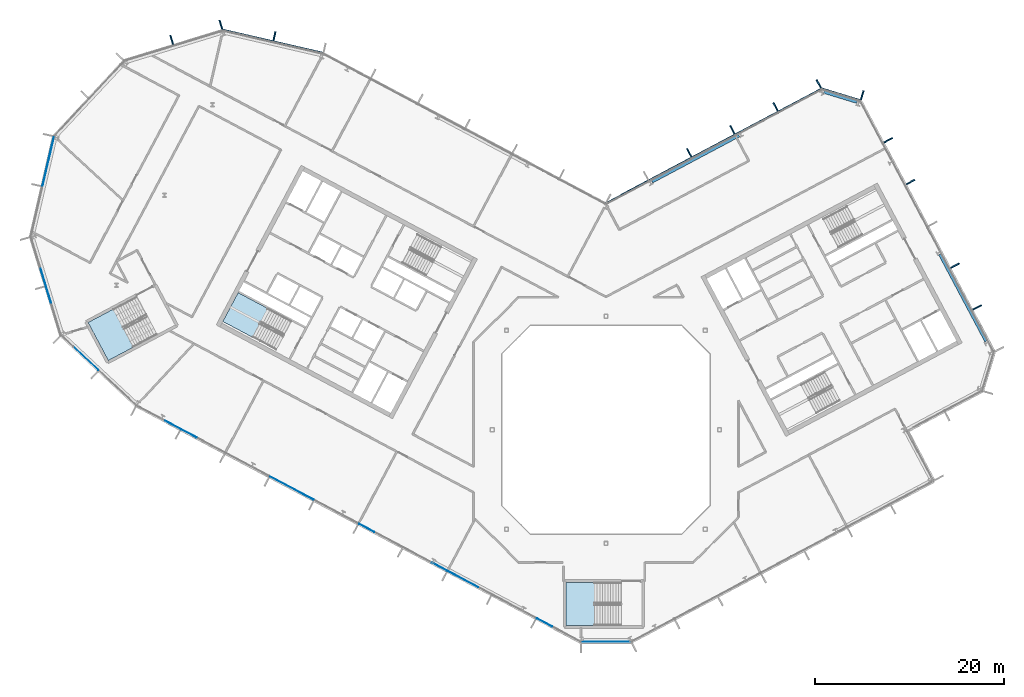
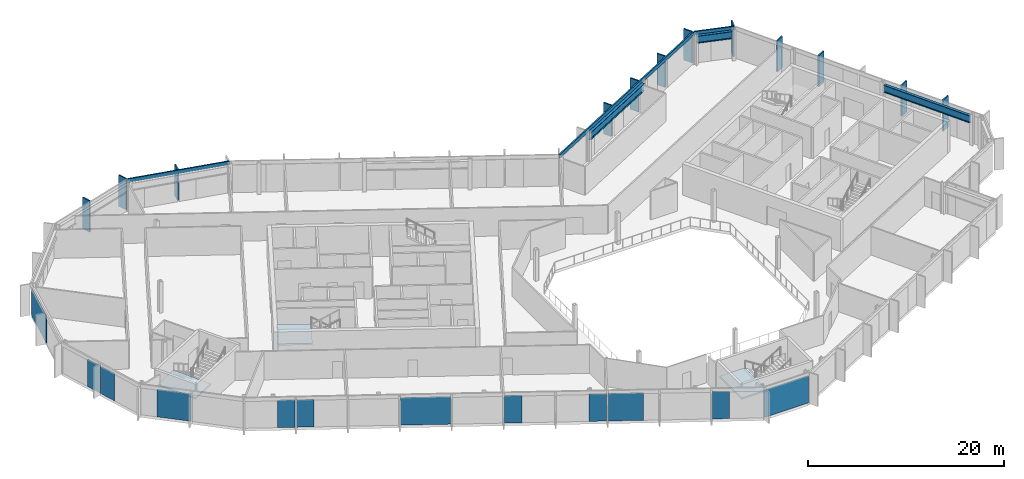
# One storey, part 10 of 26: 15 members, 12 plates, 3 beams, 3 slabs, 13 elements without a shape of their own.
"""IFC4 building model written with IfcOpenShell, lengths in metres."""

from ifc_helpers import new_model, si_unit, direction, frame, origin, origin_2d, place, context, subcontext, project, spatial, polyline, rectangle, i_section, outline, extrude, material, layer, layer_set, material_profile, profile_set, type_object, element, aggregate, save


model = new_model("IFC4")

# Units and contexts
model_context = context("Model", 3, precision=1e-05, world=origin(), true_north=direction((0.0, 1.0)))
body_context = subcontext(model_context, "Body", "Model", "MODEL_VIEW")
ifc_project = project(units=[si_unit("LENGTHUNIT", "METRE"), si_unit("AREAUNIT", "SQUARE_METRE"), si_unit("VOLUMEUNIT", "CUBIC_METRE"), si_unit("PLANEANGLEUNIT", "RADIAN"), si_unit("MASSUNIT", "GRAM", prefix="KILO")], contexts=[model_context])

# Site, building, storey
site_placement = place(None, origin())
site = spatial("IfcSite", under=ifc_project, at=site_placement, CompositionType="ELEMENT")
building_placement = place(site_placement, origin())
building = spatial("IfcBuilding", under=site, at=building_placement, Name="Cormorant Relay Tower", CompositionType="ELEMENT")
storey_placement = place(building_placement, frame((0.0, 0.0, 261.89990234375)))
storey = spatial("IfcBuildingStorey", under=building, at=storey_placement, Name="L58", CompositionType="ELEMENT", Elevation=261.89990234375)

# Curtain wall, members
ifc_material_1 = material(Name="Aluminium 6063-T6 anodised bronze", Category="aluminium")
ifc_layer_1 = layer(ifc_material_1, 0.199951171875)
ifc_layer_set_1 = layer_set([ifc_layer_1], Name="CW1 unitised bronze curtain wall with vertical fins")
curtain_wall_type = type_object("IfcCurtainWallType", Name="CW1 unitised bronze curtain wall with vertical fins", PredefinedType="NOTDEFINED", material=ifc_layer_set_1)
curtain_wall_1_placement = place(storey_placement, origin())
curtain_wall_1 = element("IfcCurtainWall", 1, at=curtain_wall_1_placement, inside=storey, type_object=curtain_wall_type, Name="CW1 curtain wall 6", PredefinedType="NOTDEFINED")
ifc_material_2 = material(Name="Aluminium 6063-T6 anodised bronze", Category="aluminium")
ifc_material_profile_1 = material_profile(ifc_material_2, rectangle(XDim=0.14990234375, YDim=1.0, at=origin_2d()), Name="AL 150x1000")
ifc_profile_set_1 = profile_set([ifc_material_profile_1], Name="Aluminium 6063-T6 anodised bronze")
member_type_1 = type_object("IfcMemberType", Name="CW1 bronze fin mullion 150 x 1000", PredefinedType="MULLION", material=ifc_profile_set_1)
member_1_placement = place(storey_placement, frame((39.222412109375, 12.927001953125, 0.0), z_axis=(0.0, 0.0, 1.0), x_axis=(-0.469471562786, 0.882947592859, 0.0)))
member_1 = element("IfcMember", 2, at=member_1_placement, type_object=member_type_1, Name="CW1 fin 6.2", PredefinedType="MULLION", context=body_context, shape_type="SweptSolid", body=[
    extrude(rectangle(XDim=0.14990234375, YDim=1.0, at=origin_2d()), origin(), (0.0, 0.0, 1.0), 3.900146484375),
])
member_2_placement = place(storey_placement, frame((36.875, 17.341552734375, 0.0), z_axis=(0.0, 0.0, 1.0), x_axis=(-0.469471562786, 0.882947592859, 0.0)))
member_2 = element("IfcMember", 3, at=member_2_placement, type_object=member_type_1, Name="CW1 fin 6.3", PredefinedType="MULLION", context=body_context, shape_type="SweptSolid", body=[
    extrude(rectangle(XDim=0.14990234375, YDim=1.0, at=origin_2d()), origin(), (0.0, 0.0, 1.0), 3.900146484375),
])
member_3_placement = place(storey_placement, frame((32.18017578125, 26.171142578125, 0.0), z_axis=(0.0, 0.0, 1.0), x_axis=(-0.469471562786, 0.882947592859, 0.0)))
member_3 = element("IfcMember", 4, at=member_3_placement, type_object=member_type_1, Name="CW1 fin 6.5", PredefinedType="MULLION", context=body_context, shape_type="SweptSolid", body=[
    extrude(rectangle(XDim=0.14990234375, YDim=1.0, at=origin_2d()), origin(), (0.0, 0.0, 1.0), 3.900146484375),
])
member_4_placement = place(storey_placement, frame((29.832763671875, 30.585693359375, 0.0), z_axis=(0.0, 0.0, 1.0), x_axis=(-0.469471562786, 0.882947592859, 0.0)))
member_4 = element("IfcMember", 5, at=member_4_placement, type_object=member_type_1, Name="CW1 fin 6.6", PredefinedType="MULLION", context=body_context, shape_type="SweptSolid", body=[
    extrude(rectangle(XDim=0.14990234375, YDim=1.0, at=origin_2d()), origin(), (0.0, 0.0, 1.0), 3.900146484375),
])
aggregate(curtain_wall_1, [member_1, member_2, member_3, member_4])

# Curtain wall, member
curtain_wall_2_placement = place(storey_placement, origin())
curtain_wall_2 = element("IfcCurtainWall", 6, at=curtain_wall_2_placement, inside=storey, type_object=curtain_wall_type, Name="CW1 curtain wall 7", PredefinedType="NOTDEFINED")
member_5_placement = place(storey_placement, frame((27.072021484375, 35.34130859375, 0.0), z_axis=(0.0, 0.0, 1.0), x_axis=(-0.956304755963, 0.292371704723, 0.0)))
member_5 = element("IfcMember", 7, at=member_5_placement, type_object=member_type_1, Name="CW1 fin 7.1", PredefinedType="MULLION", context=body_context, shape_type="SweptSolid", body=[
    extrude(rectangle(XDim=0.14990234375, YDim=1.0, at=origin_2d()), origin(), (0.0, 0.0, 1.0), 3.900146484375),
])

# Curtain wall, members
curtain_wall_3_placement = place(storey_placement, origin())
curtain_wall_3 = element("IfcCurtainWall", 8, at=curtain_wall_3_placement, inside=storey, type_object=curtain_wall_type, Name="CW1 curtain wall 8", PredefinedType="NOTDEFINED")
member_6_placement = place(storey_placement, frame((22.4814453125, 36.530517578125, 0.0), z_axis=(0.0, 0.0, 1.0), x_axis=(-0.882947592859, -0.469471562786, 0.0)))
member_6 = element("IfcMember", 9, at=member_6_placement, type_object=member_type_1, Name="CW1 fin 8.1", PredefinedType="MULLION", context=body_context, shape_type="SweptSolid", body=[
    extrude(rectangle(XDim=0.14990234375, YDim=1.0, at=origin_2d()), origin(), (0.0, 0.0, 1.0), 3.900146484375),
])
member_7_placement = place(storey_placement, frame((17.91943359375, 34.104736328125, 0.0), z_axis=(0.0, 0.0, 1.0), x_axis=(-0.882947592859, -0.469471562786, 0.0)))
member_7 = element("IfcMember", 10, at=member_7_placement, type_object=member_type_1, Name="CW1 fin 8.2", PredefinedType="MULLION", context=body_context, shape_type="SweptSolid", body=[
    extrude(rectangle(XDim=0.14990234375, YDim=1.0, at=origin_2d()), origin(), (0.0, 0.0, 1.0), 3.900146484375),
])
member_8_placement = place(storey_placement, frame((13.357421875, 31.67919921875, 0.0), z_axis=(0.0, 0.0, 1.0), x_axis=(-0.882947592859, -0.469471562786, 0.0)))
member_8 = element("IfcMember", 11, at=member_8_placement, type_object=member_type_1, Name="CW1 fin 8.3", PredefinedType="MULLION", context=body_context, shape_type="SweptSolid", body=[
    extrude(rectangle(XDim=0.14990234375, YDim=1.0, at=origin_2d()), origin(), (0.0, 0.0, 1.0), 3.900146484375),
])
member_9_placement = place(storey_placement, frame((8.79541015625, 29.25341796875, 0.0), z_axis=(0.0, 0.0, 1.0), x_axis=(-0.882947592859, -0.469471562786, 0.0)))
member_9 = element("IfcMember", 12, at=member_9_placement, type_object=member_type_1, Name="CW1 fin 8.4", PredefinedType="MULLION", context=body_context, shape_type="SweptSolid", body=[
    extrude(rectangle(XDim=0.14990234375, YDim=1.0, at=origin_2d()), origin(), (0.0, 0.0, 1.0), 3.900146484375),
])

# Curtain wall, member
curtain_wall_4_placement = place(storey_placement, origin())
curtain_wall_4 = element("IfcCurtainWall", 13, at=curtain_wall_4_placement, inside=storey, type_object=curtain_wall_type, Name="CW1 curtain wall 10", PredefinedType="NOTDEFINED")
member_10_placement = place(storey_placement, frame((-35.01220703125, 41.57275390625, 0.0), z_axis=(0.0, 0.0, 1.0), x_axis=(-0.974370064785, 0.224951054344, 0.0)))
member_10 = element("IfcMember", 14, at=member_10_placement, type_object=member_type_1, Name="CW1 fin 10.2", PredefinedType="MULLION", context=body_context, shape_type="SweptSolid", body=[
    extrude(rectangle(XDim=0.14990234375, YDim=1.0, at=origin_2d()), origin(), (0.0, 0.0, 1.0), 3.900146484375),
])

# Curtain wall, members
curtain_wall_5_placement = place(storey_placement, origin())
curtain_wall_5 = element("IfcCurtainWall", 15, at=curtain_wall_5_placement, inside=storey, type_object=curtain_wall_type, Name="CW1 curtain wall 11", PredefinedType="NOTDEFINED")
member_11_placement = place(storey_placement, frame((-40.670166015625, 42.78271484375, 0.0), z_axis=(0.0, 0.0, 1.0), x_axis=(-0.956304755963, -0.292371704723, 0.0)))
member_11 = element("IfcMember", 16, at=member_11_placement, type_object=member_type_1, Name="CW1 fin 11.1", PredefinedType="MULLION", context=body_context, shape_type="SweptSolid", body=[
    extrude(rectangle(XDim=0.14990234375, YDim=1.0, at=origin_2d()), origin(), (0.0, 0.0, 1.0), 3.900146484375),
])
member_12_placement = place(storey_placement, frame((-45.867919921875, 41.193603515625, 0.0), z_axis=(0.0, 0.0, 1.0), x_axis=(-0.956304755963, -0.292371704723, 0.0)))
member_12 = element("IfcMember", 17, at=member_12_placement, type_object=member_type_1, Name="CW1 fin 11.2", PredefinedType="MULLION", context=body_context, shape_type="SweptSolid", body=[
    extrude(rectangle(XDim=0.14990234375, YDim=1.0, at=origin_2d()), origin(), (0.0, 0.0, 1.0), 3.900146484375),
])
aggregate(curtain_wall_5, [member_11, member_12])

# Member
ifc_material_3 = material(Name="Aluminium 6063-T6 anodised bronze", Category="aluminium")
ifc_material_profile_2 = material_profile(ifc_material_3, rectangle(XDim=0.159912109375, YDim=0.449951171875, at=origin_2d()), Name="AL 160x450")
ifc_profile_set_2 = profile_set([ifc_material_profile_2], Name="Aluminium 6063-T6 anodised bronze")
member_type_2 = type_object("IfcMemberType", Name="CW1 bronze transom 160 x 450", PredefinedType="USERDEFINED", material=ifc_profile_set_2)
member_13_placement = place(storey_placement, frame((26.902587890625, 34.78662109375, 3.675048828125), z_axis=(-0.956303761594, 0.292374957137, 0.0), x_axis=(-0.292374957137, -0.956303761594, 0.0)))
member_13 = element("IfcMember", 18, at=member_13_placement, type_object=member_type_2, Name="CW1 transom 7", ObjectType="TRANSOM", PredefinedType="USERDEFINED", context=body_context, shape_type="SweptSolid", body=[
    extrude(rectangle(XDim=0.159912109375, YDim=0.449951171875, at=origin_2d()), origin(), (0.0, 0.0, 1.0), 4.24267578125),
])

aggregate(curtain_wall_2, [member_5, member_13])

member_14_placement = place(storey_placement, frame((22.75390625, 36.018310546875, 3.675048828125), z_axis=(-0.882948156597, -0.469470502547, 0.0), x_axis=(0.469470502547, -0.882948156597, 0.0)))
member_14 = element("IfcMember", 19, at=member_14_placement, type_object=member_type_2, Name="CW1 transom 8", ObjectType="TRANSOM", PredefinedType="USERDEFINED", context=body_context, shape_type="SweptSolid", body=[
    extrude(rectangle(XDim=0.159912109375, YDim=0.449951171875, at=origin_2d()), origin(), (0.0, 0.0, 1.0), 25.834228515625),
])

aggregate(curtain_wall_3, [member_6, member_7, member_8, member_9, member_14])

member_15_placement = place(storey_placement, frame((-29.8466796875, 39.784912109375, 3.675048828125), z_axis=(-0.974365070969, 0.224972683844, 0.0), x_axis=(-0.224972683844, -0.974365070969, 0.0)))
member_15 = element("IfcMember", 20, at=member_15_placement, type_object=member_type_2, Name="CW1 transom 10", ObjectType="TRANSOM", PredefinedType="USERDEFINED", context=body_context, shape_type="SweptSolid", body=[
    extrude(rectangle(XDim=0.159912109375, YDim=0.449951171875, at=origin_2d()), origin(), (0.0, 0.0, 1.0), 10.870361328125),
])

aggregate(curtain_wall_4, [member_10, member_15])

# Beams
ifc_material_4 = material(Name="Steel ASTM A992 (Fy 345 MPa)", Category="steel")
ifc_material_profile_3 = material_profile(ifc_material_4, i_section(OverallWidth=0.307373046875, OverallDepth=0.927001953125, WebThickness=0.019287109375, FlangeThickness=0.031982421875, FilletRadius=0.01904296875, at=origin_2d()), Name="W920x289")
ifc_profile_set_3 = profile_set([ifc_material_profile_3], Name="Steel ASTM A992 (Fy 345 MPa)")
beam_type = type_object("IfcBeamType", Name="Spandrel W920x289", PredefinedType="SPANDREL", material=ifc_profile_set_3)
beam_1_placement = place(storey_placement, frame((40.1591796875, 9.3466796875, 3.076416015625), z_axis=(-0.469474391681, 0.882946088703, 0.0), x_axis=(-0.882946088703, -0.469474391681, 0.0)))
element("IfcBeam", 21, at=beam_1_placement, inside=storey, type_object=beam_type, Name="Spandrel beam L58-006", PredefinedType="SPANDREL", context=body_context, shape_type="SweptSolid", body=[
    extrude(i_section(OverallWidth=0.307373046875, OverallDepth=0.927001953125, WebThickness=0.019287109375, FlangeThickness=0.031982421875, FilletRadius=0.01904296875, at=origin_2d()), origin(), (0.0, 0.0, 1.0), 10.401611328125),
])
beam_2_placement = place(storey_placement, frame((26.512451171875, 34.619873046875, 3.076416015625), z_axis=(-0.956313678807, 0.292342517821, 0.0), x_axis=(-0.292342517821, -0.956313678807, 0.0)))
element("IfcBeam", 22, at=beam_2_placement, inside=storey, type_object=beam_type, Name="Spandrel beam L58-007", PredefinedType="SPANDREL", context=body_context, shape_type="SweptSolid", body=[
    extrude(i_section(OverallWidth=0.307373046875, OverallDepth=0.927001953125, WebThickness=0.019287109375, FlangeThickness=0.031982421875, FilletRadius=0.01904296875, at=origin_2d()), origin(), (0.0, 0.0, 1.0), 3.65185546875),
])
beam_3_placement = place(storey_placement, frame((14.05322265625, 31.082275390625, 3.076416015625), z_axis=(-0.882950644937, -0.469465822617, 0.0), x_axis=(0.469465822617, -0.882950644937, 0.0)))
element("IfcBeam", 23, at=beam_3_placement, inside=storey, type_object=beam_type, Name="Spandrel beam L58-008", PredefinedType="SPANDREL", context=body_context, shape_type="SweptSolid", body=[
    extrude(i_section(OverallWidth=0.307373046875, OverallDepth=0.927001953125, WebThickness=0.019287109375, FlangeThickness=0.031982421875, FilletRadius=0.01904296875, at=origin_2d()), origin(), (0.0, 0.0, 1.0), 10.4013671875),
])

# Curtain wall, plates
curtain_wall_6_placement = place(storey_placement, origin())
curtain_wall_6 = element("IfcCurtainWall", 24, at=curtain_wall_6_placement, inside=storey, type_object=curtain_wall_type, Name="CW1 curtain wall 14", PredefinedType="NOTDEFINED")
ifc_material_5 = material(Name="Tinted laminated glass", Category="glass")
ifc_layer_2 = layer(ifc_material_5, 0.0400390625)
ifc_layer_set_2 = layer_set([ifc_layer_2], Name="CW1 tinted vision panel 1800 module")
plate_type_1 = type_object("IfcPlateType", Name="CW1 tinted vision panel 1800 module", PredefinedType="CURTAIN_PANEL", material=ifc_layer_set_2)
plate_1_placement = place(storey_placement, frame((-59.434814453125, 16.122314453125, 0.0), z_axis=(0.0, 0.0, 1.0), x_axis=(0.292371704723, -0.956304755963, 0.0)))
plate_1 = element("IfcPlate", 25, at=plate_1_placement, type_object=plate_type_1, Name="CW1 panel V01", PredefinedType="CURTAIN_PANEL", context=body_context, shape_type="SweptSolid", body=[
    extrude(rectangle(XDim=1.800048828125, YDim=0.0400390625, at=origin_2d()), origin(), (0.0, 0.0, 1.0), 3.449951171875),
])
plate_2_placement = place(storey_placement, frame((-58.86474609375, 14.25732421875, 0.0), z_axis=(0.0, 0.0, 1.0), x_axis=(0.292371704723, -0.956304755963, 0.0)))
plate_2 = element("IfcPlate", 26, at=plate_2_placement, type_object=plate_type_1, Name="CW1 panel V02", PredefinedType="CURTAIN_PANEL", context=body_context, shape_type="SweptSolid", body=[
    extrude(rectangle(XDim=1.800048828125, YDim=0.0400390625, at=origin_2d()), origin(), (0.0, 0.0, 1.0), 3.449951171875),
])
aggregate(curtain_wall_6, [plate_1, plate_2])

curtain_wall_7_placement = place(storey_placement, origin())
curtain_wall_7 = element("IfcCurtainWall", 27, at=curtain_wall_7_placement, inside=storey, type_object=curtain_wall_type, Name="CW1 curtain wall 16", PredefinedType="NOTDEFINED")
plate_3_placement = place(storey_placement, frame((-45.767578125, 0.5283203125, 0.0), z_axis=(0.0, 0.0, 1.0), x_axis=(0.882947592859, -0.469471562786, 0.0)))
plate_3 = element("IfcPlate", 28, at=plate_3_placement, type_object=plate_type_1, Name="CW1 panel V01", PredefinedType="CURTAIN_PANEL", context=body_context, shape_type="SweptSolid", body=[
    extrude(rectangle(XDim=1.800048828125, YDim=0.0400390625, at=origin_2d()), origin(), (0.0, 0.0, 1.0), 3.449951171875),
])
plate_4_placement = place(storey_placement, frame((-44.0458984375, -0.38720703125, 0.0), z_axis=(0.0, 0.0, 1.0), x_axis=(0.882947592859, -0.469471562786, 0.0)))
plate_4 = element("IfcPlate", 29, at=plate_4_placement, type_object=plate_type_1, Name="CW1 panel V02", PredefinedType="CURTAIN_PANEL", context=body_context, shape_type="SweptSolid", body=[
    extrude(rectangle(XDim=1.800048828125, YDim=0.0400390625, at=origin_2d()), origin(), (0.0, 0.0, 1.0), 3.449951171875),
])
plate_5_placement = place(storey_placement, frame((-25.268798828125, -10.37109375, 0.0), z_axis=(0.0, 0.0, 1.0), x_axis=(0.882947592859, -0.469471562786, 0.0)))
plate_5 = element("IfcPlate", 30, at=plate_5_placement, type_object=plate_type_1, Name="CW1 panel V06", PredefinedType="CURTAIN_PANEL", context=body_context, shape_type="SweptSolid", body=[
    extrude(rectangle(XDim=1.800048828125, YDim=0.0400390625, at=origin_2d()), origin(), (0.0, 0.0, 1.0), 3.449951171875),
])
plate_6_placement = place(storey_placement, frame((-17.601806640625, -14.447509765625, 0.0), z_axis=(0.0, 0.0, 1.0), x_axis=(0.882947592859, -0.469471562786, 0.0)))
plate_6 = element("IfcPlate", 31, at=plate_6_placement, type_object=plate_type_1, Name="CW1 panel V08", PredefinedType="CURTAIN_PANEL", context=body_context, shape_type="SweptSolid", body=[
    extrude(rectangle(XDim=1.800048828125, YDim=0.0400390625, at=origin_2d()), origin(), (0.0, 0.0, 1.0), 3.449951171875),
])
plate_7_placement = place(storey_placement, frame((-6.49169921875, -20.35498046875, 0.0), z_axis=(0.0, 0.0, 1.0), x_axis=(0.882947592859, -0.469471562786, 0.0)))
plate_7 = element("IfcPlate", 32, at=plate_7_placement, type_object=plate_type_1, Name="CW1 panel V11", PredefinedType="CURTAIN_PANEL", context=body_context, shape_type="SweptSolid", body=[
    extrude(rectangle(XDim=1.800048828125, YDim=0.0400390625, at=origin_2d()), origin(), (0.0, 0.0, 1.0), 3.449951171875),
])

# Curtain wall, plate
curtain_wall_8_placement = place(storey_placement, origin())
curtain_wall_8 = element("IfcCurtainWall", 33, at=curtain_wall_8_placement, inside=storey, type_object=curtain_wall_type, Name="CW1 curtain wall 15", PredefinedType="NOTDEFINED")
ifc_material_6 = material(Name="Tinted laminated glass", Category="glass")
ifc_layer_3 = layer(ifc_material_6, 0.0400390625)
ifc_layer_set_3 = layer_set([ifc_layer_3], Name="CW1 tinted vision panel 3600 module")
plate_type_2 = type_object("IfcPlateType", Name="CW1 tinted vision panel 3600 module", PredefinedType="CURTAIN_PANEL", material=ifc_layer_set_3)
plate_8_placement = place(storey_placement, frame((-54.951416015625, 7.55517578125, 0.0), z_axis=(0.0, 0.0, 1.0), x_axis=(0.731353701619, -0.681998360062, 0.0)))
plate_8 = element("IfcPlate", 34, at=plate_8_placement, type_object=plate_type_2, Name="CW1 panel V01", PredefinedType="CURTAIN_PANEL", context=body_context, shape_type="SweptSolid", body=[
    extrude(rectangle(XDim=3.60009765625, YDim=0.0400390625, at=origin_2d()), origin(), (0.0, 0.0, 1.0), 3.449951171875),
])
aggregate(curtain_wall_8, [plate_8])

# Plate
plate_9_placement = place(storey_placement, frame((-15.08544921875, -15.785400390625, 0.0), z_axis=(0.0, 0.0, 1.0), x_axis=(0.882947592859, -0.469471562786, 0.0)))
plate_9 = element("IfcPlate", 35, at=plate_9_placement, type_object=plate_type_2, Name="CW1 panel V09", PredefinedType="CURTAIN_PANEL", context=body_context, shape_type="SweptSolid", body=[
    extrude(rectangle(XDim=3.60009765625, YDim=0.0400390625, at=origin_2d()), origin(), (0.0, 0.0, 1.0), 3.449951171875),
])

# Curtain wall, plate
curtain_wall_9_placement = place(storey_placement, origin())
curtain_wall_9 = element("IfcCurtainWall", 36, at=curtain_wall_9_placement, inside=storey, type_object=curtain_wall_type, Name="CW1 curtain wall 1", PredefinedType="NOTDEFINED")
ifc_material_7 = material(Name="Tinted laminated glass", Category="glass")
ifc_layer_4 = layer(ifc_material_7, 0.0400390625)
ifc_layer_set_4 = layer_set([ifc_layer_4], Name="CW1 tinted vision panel 5400 module")
plate_type_3 = type_object("IfcPlateType", Name="CW1 tinted vision panel 5400 module", PredefinedType="CURTAIN_PANEL", material=ifc_layer_set_4)
plate_10_placement = place(storey_placement, frame((0.03759765625, -22.3955078125, 0.0), z_axis=(0.0, 0.0, 1.0), x_axis=(1.0, 0.0, 0.0)))
plate_10 = element("IfcPlate", 37, at=plate_10_placement, type_object=plate_type_3, Name="CW1 panel V00", PredefinedType="CURTAIN_PANEL", context=body_context, shape_type="SweptSolid", body=[
    extrude(rectangle(XDim=5.22265625, YDim=0.0400390625, at=origin_2d()), origin(), (0.0, 0.0, 1.0), 3.449951171875),
])
aggregate(curtain_wall_9, [plate_10])

curtain_wall_10_placement = place(storey_placement, origin())
curtain_wall_10 = element("IfcCurtainWall", 38, at=curtain_wall_10_placement, inside=storey, type_object=curtain_wall_type, Name="CW1 curtain wall 13", PredefinedType="NOTDEFINED")
plate_11_placement = place(storey_placement, frame((-58.905517578125, 28.341796875, 0.0), z_axis=(0.0, 0.0, 1.0), x_axis=(-0.224951054344, -0.974370064785, 0.0)))
plate_11 = element("IfcPlate", 39, at=plate_11_placement, type_object=plate_type_3, Name="CW1 panel V00", PredefinedType="CURTAIN_PANEL", context=body_context, shape_type="SweptSolid", body=[
    extrude(rectangle(XDim=5.28515625, YDim=0.0400390625, at=origin_2d()), origin(), (0.0, 0.0, 1.0), 3.449951171875),
])
aggregate(curtain_wall_10, [plate_11])

# Plate
plate_12_placement = place(storey_placement, frame((-33.1708984375, -6.169189453125, 0.0), z_axis=(0.0, 0.0, 1.0), x_axis=(0.882947592859, -0.469471562786, 0.0)))
plate_12 = element("IfcPlate", 40, at=plate_12_placement, type_object=plate_type_3, Name="CW1 panel V04", PredefinedType="CURTAIN_PANEL", context=body_context, shape_type="SweptSolid", body=[
    extrude(rectangle(XDim=5.16650390625, YDim=0.0400390625, at=origin_2d()), origin(), (0.0, 0.0, 1.0), 3.449951171875),
])

aggregate(curtain_wall_7, [plate_3, plate_4, plate_12, plate_5, plate_6, plate_9, plate_7])

# Stair, slab
ifc_material_8 = material(Name="Concrete 40 MPa", Category="concrete")
stair_type_1 = type_object("IfcStairType", Name="Exit stair 1500", PredefinedType="HALF_TURN_STAIR", material=ifc_material_8)
stair_1_placement = place(storey_placement, origin())
stair_1 = element("IfcStair", 41, at=stair_1_placement, inside=storey, type_object=stair_type_1, Name="L58 Stair", PredefinedType="HALF_TURN_STAIR")
ifc_material_9 = material(Name="Concrete 40 MPa", Category="concrete")
ifc_layer_5 = layer(ifc_material_9, 0.199951171875)
ifc_layer_set_5 = layer_set([ifc_layer_5], Name="Exit stair landing 200")
slab_type = type_object("IfcSlabType", Name="Exit stair landing 200", PredefinedType="LANDING", material=ifc_layer_set_5)
slab_1_placement = place(storey_placement, frame((0.0, 0.0, 1.75)))
slab_1 = element("IfcSlab", 42, at=slab_1_placement, type_object=slab_type, Name="A2 landing 1", PredefinedType="LANDING", context=body_context, shape_type="SweptSolid", body=[
    extrude(outline(polyline([(-35.71337890625, 12.816650390625), (-38.84765625, 14.483154296875), (-40.467529296875, 11.43701171875), (-37.3330078125, 9.7705078125), (-35.71337890625, 12.816650390625)])), origin(), (0.0, 0.0, 1.0), 0.2001953125),
])
aggregate(stair_1, [slab_1])

ifc_material_10 = material(Name="Concrete 40 MPa", Category="concrete")
stair_type_2 = type_object("IfcStairType", Name="Remote exit stair 2200", PredefinedType="HALF_TURN_STAIR", material=ifc_material_10)
stair_2_placement = place(storey_placement, origin())
stair_2 = element("IfcStair", 43, at=stair_2_placement, inside=storey, type_object=stair_type_2, Name="L58 Stair", PredefinedType="HALF_TURN_STAIR")
slab_2_placement = place(storey_placement, frame((0.0, 0.0, 1.75)))
slab_2 = element("IfcSlab", 44, at=slab_2_placement, type_object=slab_type, Name="RK1 landing 1", PredefinedType="LANDING", context=body_context, shape_type="SweptSolid", body=[
    extrude(outline(polyline([(-1.199951171875, -16.125), (-4.199951171875, -16.125), (-4.199951171875, -20.675048828125), (-1.199951171875, -20.675048828125), (-1.199951171875, -16.125)])), origin(), (0.0, 0.0, 1.0), 0.2001953125),
])
aggregate(stair_2, [slab_2])

stair_3_placement = place(storey_placement, origin())
stair_3 = element("IfcStair", 45, at=stair_3_placement, inside=storey, type_object=stair_type_2, Name="L58 Stair", PredefinedType="HALF_TURN_STAIR")
slab_3_placement = place(storey_placement, frame((0.0, 0.0, 1.75)))
slab_3 = element("IfcSlab", 46, at=slab_3_placement, type_object=slab_type, Name="RP1 landing 1", PredefinedType="LANDING", context=body_context, shape_type="SweptSolid", body=[
    extrude(outline(polyline([(-52.051025390625, 12.7392578125), (-54.699951171875, 11.330810546875), (-52.563720703125, 7.3134765625), (-49.914794921875, 8.721923828125), (-52.051025390625, 12.7392578125)])), origin(), (0.0, 0.0, 1.0), 0.2001953125),
])
aggregate(stair_3, [slab_3])

save(model, "model.ifc")
